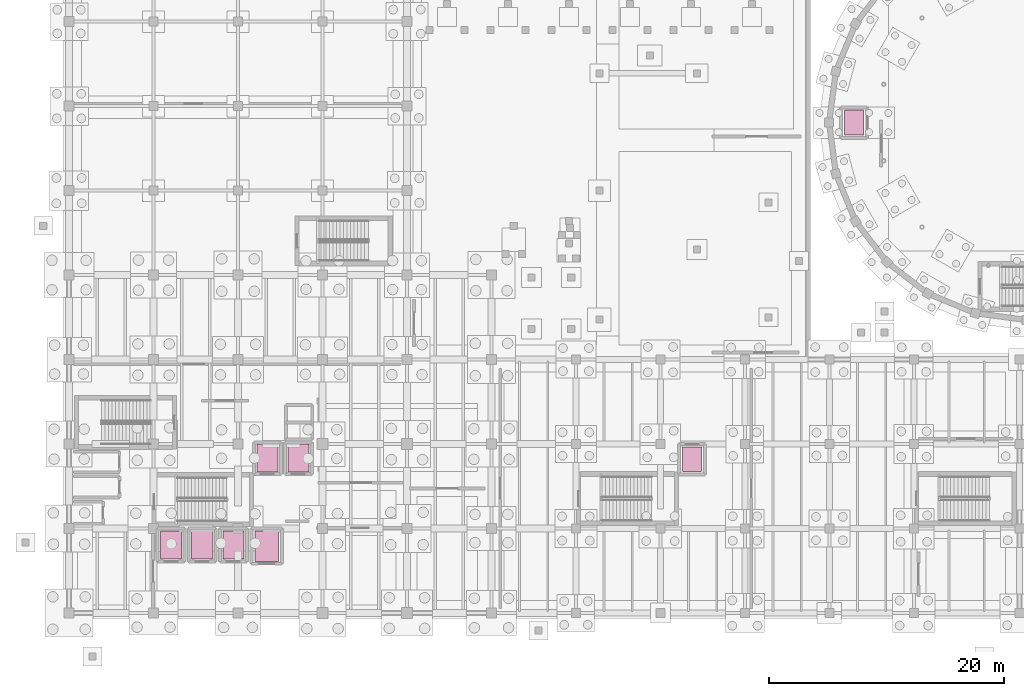
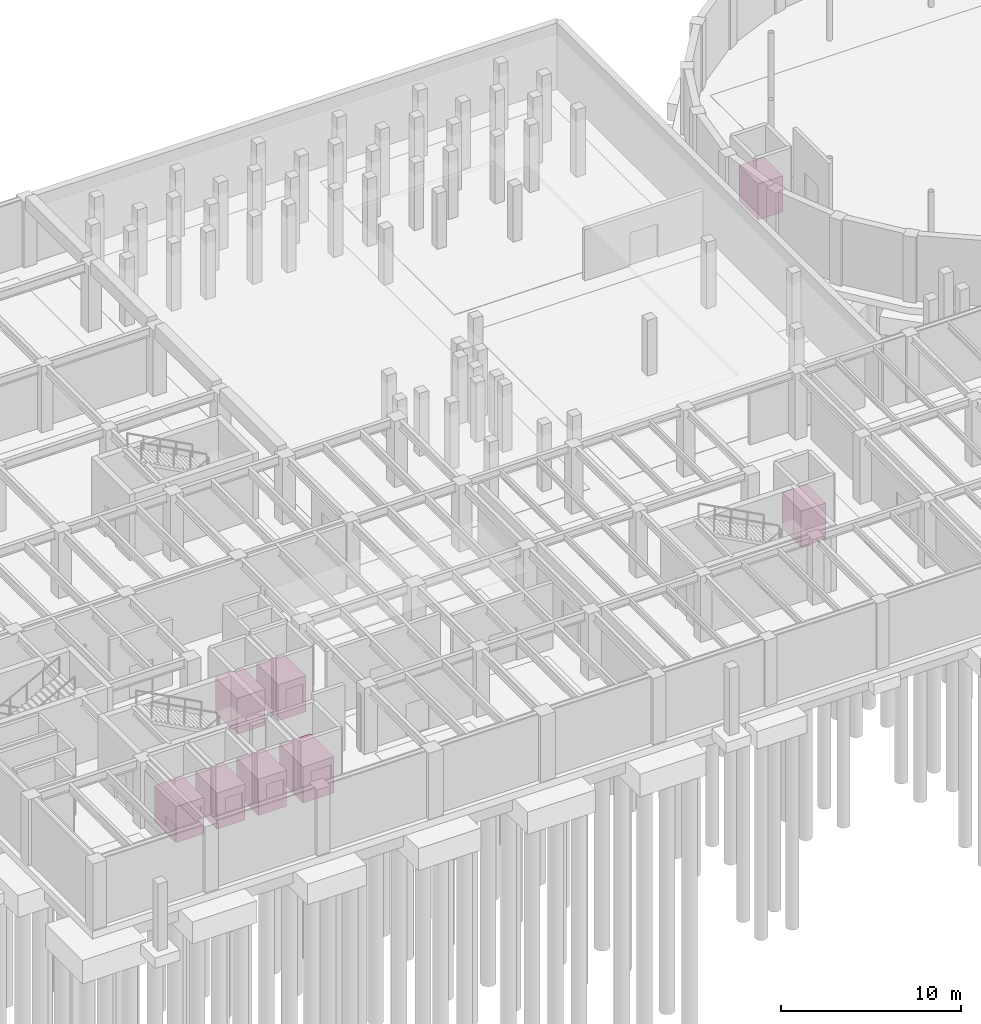
# One storey, part 26 of 26: 8 transport elements.
"""IFC4 building model written with IfcOpenShell, lengths in metres."""

from ifc_helpers import new_model, si_unit, direction, frame, origin, origin_2d, place, context, subcontext, project, spatial, rectangle, extrude, material, type_object, element, save


model = new_model("IFC4")

# Units and contexts
model_context = context("Model", 3, precision=1e-05, world=origin(), true_north=direction((0.0, 1.0)))
body_context = subcontext(model_context, "Body", "Model", "MODEL_VIEW")
ifc_project = project(units=[si_unit("LENGTHUNIT", "METRE"), si_unit("AREAUNIT", "SQUARE_METRE"), si_unit("VOLUMEUNIT", "CUBIC_METRE"), si_unit("PLANEANGLEUNIT", "RADIAN"), si_unit("MASSUNIT", "GRAM", prefix="KILO")], contexts=[model_context])

# Site, building, storey
site_placement = place(None, origin())
site = spatial("IfcSite", under=ifc_project, at=site_placement, CompositionType="ELEMENT")
building_placement = place(site_placement, origin())
building = spatial("IfcBuilding", under=site, at=building_placement, Name="Kandorven Conservatory and Botanical Research Centre", CompositionType="ELEMENT")
storey_placement = place(building_placement, frame((0.0, 0.0, -4.800048828125)))
storey = spatial("IfcBuildingStorey", under=building, at=storey_placement, Name="B01", CompositionType="ELEMENT", Elevation=-4.800048828125)

# Transport elements
ifc_material_1 = material(Name="Steel S355 (IS 2062 E350)", Category="steel")
transport_element_type_1 = type_object("IfcTransportElementType", Name="Lift_LFT-FF", PredefinedType="ELEVATOR", material=ifc_material_1)
for number, where, z_axis, x_axis, name in (
    (1, (22.89990234375, 19.199951171875, 0.02001953125), (0.0, 0.0, 1.0), (1.0, 0.0, 0.0), "Firefighting Lift FFL-1 car"),
    (2, (25.550048828125, 19.199951171875, 0.02001953125), (0.0, 0.0, 1.0), (1.0, 0.0, 0.0), "Firefighting Lift FFL-2 car"),
):
    element("IfcTransportElement", number, at=place(storey_placement, frame(where, z_axis=z_axis, x_axis=x_axis)), inside=storey, type_object=transport_element_type_1, Name=name, PredefinedType="ELEVATOR", context=body_context, shape_type="SweptSolid", body=[
        extrude(rectangle(XDim=1.800048828125, YDim=2.39990234375, at=origin_2d()), origin(), (0.0, 0.0, 1.0), 2.449951171875),
    ])
ifc_material_2 = material(Name="Steel S355 (IS 2062 E350)", Category="steel")
transport_element_type_2 = type_object("IfcTransportElementType", Name="Lift_LFT-GDS", PredefinedType="ELEVATOR", material=ifc_material_2)
transport_element_placement = place(storey_placement, frame((22.85009765625, 11.699951171875, 0.02001953125), z_axis=(0.0, 0.0, 1.0), x_axis=(1.0, 0.0, 0.0)))
element("IfcTransportElement", 3, at=transport_element_placement, inside=storey, type_object=transport_element_type_2, Name="Herbarium Goods Lift GL-1 car", PredefinedType="ELEVATOR", context=body_context, shape_type="SweptSolid", body=[
    extrude(rectangle(XDim=2.0, YDim=2.60009765625, at=origin_2d()), origin(), (0.0, 0.0, 1.0), 2.449951171875),
])
ifc_material_3 = material(Name="Steel S355 (IS 2062 E350)", Category="steel")
transport_element_type_3 = type_object("IfcTransportElementType", Name="Lift_LFT-PAX", PredefinedType="ELEVATOR", material=ifc_material_3)
for number, where, z_axis, x_axis, name in (
    (4, (14.699951171875, 11.800048828125, 0.02001953125), (0.0, 0.0, 1.0), (1.0, 0.0, 0.0), "Tower Passenger Lift PL-1 car"),
    (5, (17.35009765625, 11.800048828125, 0.02001953125), (0.0, 0.0, 1.0), (1.0, 0.0, 0.0), "Tower Passenger Lift PL-2 car"),
    (6, (20.0, 11.800048828125, 0.02001953125), (0.0, 0.0, 1.0), (1.0, 0.0, 0.0), "Tower Passenger Lift PL-3 car"),
):
    element("IfcTransportElement", number, at=place(storey_placement, frame(where, z_axis=z_axis, x_axis=x_axis)), inside=storey, type_object=transport_element_type_3, Name=name, PredefinedType="ELEVATOR", context=body_context, shape_type="SweptSolid", body=[
        extrude(rectangle(XDim=1.800048828125, YDim=2.39990234375, at=origin_2d()), origin(), (0.0, 0.0, 1.0), 2.449951171875),
    ])
ifc_material_4 = material(Name="Steel S355 (IS 2062 E350)", Category="steel")
transport_element_type_4 = type_object("IfcTransportElementType", Name="Lift_LFT-VIS", PredefinedType="ELEVATOR", material=ifc_material_4)
for number, where, z_axis, x_axis, name in (
    (7, (59.10009765625, 19.10009765625, 0.02001953125), (0.0, 0.0, 1.0), (1.0, 0.0, 0.0), "Visitor Centre Passenger Lift VL-1 car"),
    (8, (72.89990234375, 47.800048828125, 0.02001953125), (0.0, 0.0, 1.0), (1.0, 0.0, 0.0), "Conservatory Accessible Lift CL-1 car"),
):
    element("IfcTransportElement", number, at=place(storey_placement, frame(where, z_axis=z_axis, x_axis=x_axis)), inside=storey, type_object=transport_element_type_4, Name=name, PredefinedType="ELEVATOR", context=body_context, shape_type="SweptSolid", body=[
        extrude(rectangle(XDim=1.60009765625, YDim=2.10009765625, at=origin_2d()), origin(), (0.0, 0.0, 1.0), 2.449951171875),
    ])

save(model, "model.ifc")
